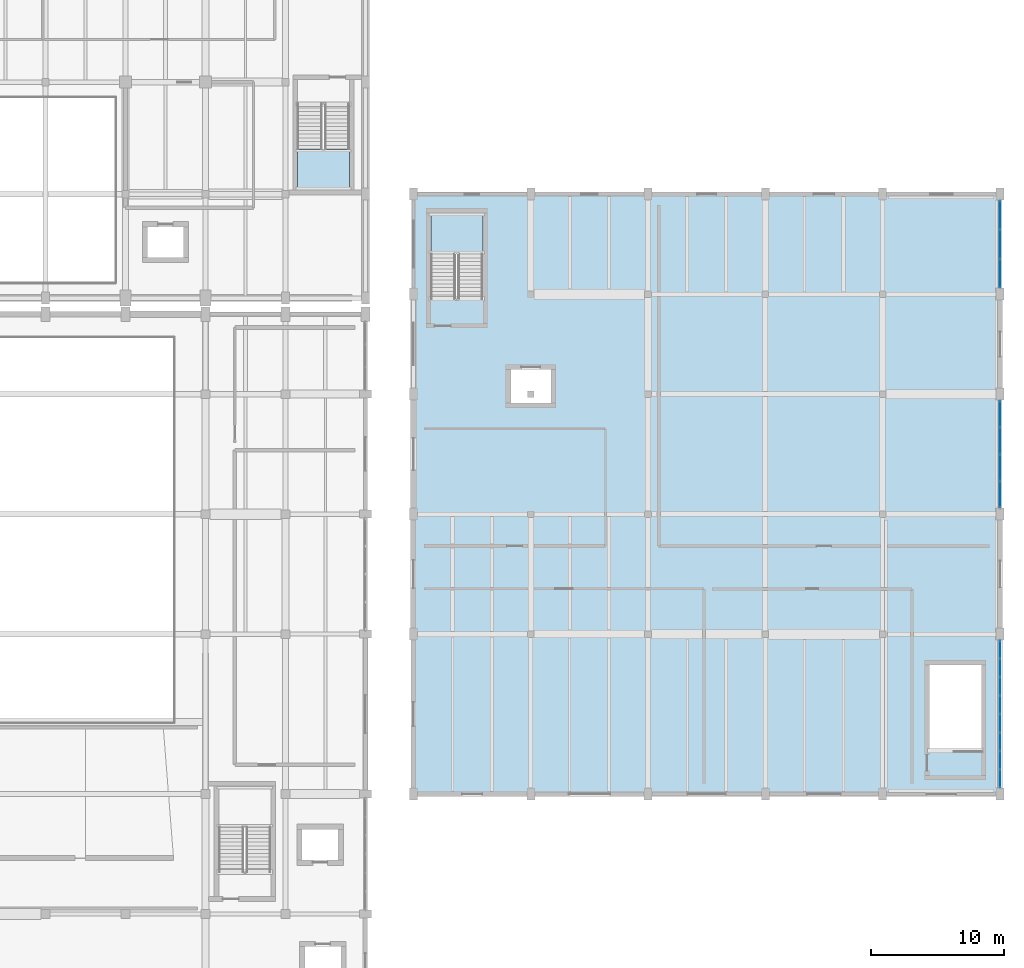
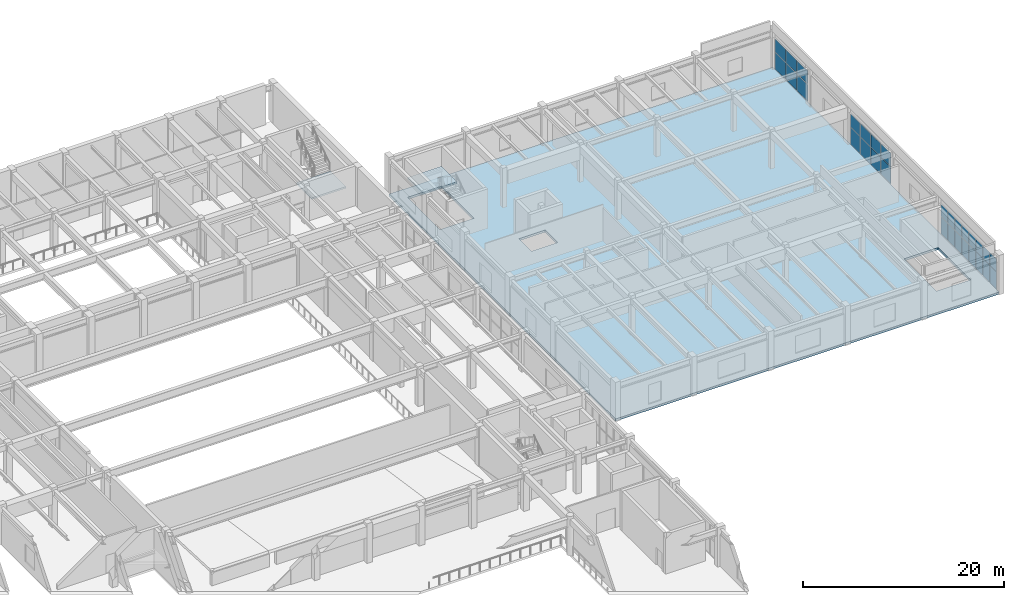
# One storey, part 55 of 80: 30 plates, 3 slabs, 5 elements without a shape of their own.
"""IFC4 building model written with IfcOpenShell, lengths in metres."""

from ifc_helpers import new_model, si_unit, direction, frame, origin, origin_2d, place, context, subcontext, project, spatial, polyline, rectangle, outline, extrude, material, layer, layer_set, type_object, element, aggregate, save


model = new_model("IFC4")

# Units and contexts
model_context = context("Model", 3, precision=1e-05, world=origin(), true_north=direction((0.0, 1.0)))
body_context = subcontext(model_context, "Body", "Model", "MODEL_VIEW")
ifc_project = project(units=[si_unit("LENGTHUNIT", "METRE"), si_unit("AREAUNIT", "SQUARE_METRE"), si_unit("VOLUMEUNIT", "CUBIC_METRE"), si_unit("PLANEANGLEUNIT", "RADIAN"), si_unit("MASSUNIT", "GRAM", prefix="KILO")], contexts=[model_context])

# Site, building, storey
site_placement = place(None, origin())
site = spatial("IfcSite", under=ifc_project, at=site_placement, CompositionType="ELEMENT")
building_placement = place(site_placement, origin())
building = spatial("IfcBuilding", under=site, at=building_placement, Name="Vaelkrest Opera House", CompositionType="ELEMENT")
storey_placement = place(building_placement, frame((0.0, 0.0, 15.0)))
storey = spatial("IfcBuildingStorey", under=building, at=storey_placement, Name="L03", CompositionType="ELEMENT", Elevation=15.0)

# Curtain wall, plates
ifc_material_1 = material(Name="Dark bronze anodized aluminium", Category="aluminium")
ifc_layer_1 = layer(ifc_material_1, 0.179931640625)
ifc_layer_set_1 = layer_set([ifc_layer_1], Name="Dark bronze anodized aluminium")
curtain_wall_type_1 = type_object("IfcCurtainWallType", Name="CW01", PredefinedType="NOTDEFINED", material=ifc_layer_set_1)
curtain_wall_1_placement = place(storey_placement, origin())
curtain_wall_1 = element("IfcCurtainWall", 1, at=curtain_wall_1_placement, inside=storey, type_object=curtain_wall_type_1, Name="Curtain wall CW-L03-169", PredefinedType="NOTDEFINED")
ifc_material_2 = material(Name="Double low-E insulated glazing", Category="glass")
ifc_layer_2 = layer(ifc_material_2, 0.02587890625)
ifc_layer_set_2 = layer_set([ifc_layer_2], Name="Double low-E insulated glazing")
plate_type_1 = type_object("IfcPlateType", Name="CWP01", PredefinedType="CURTAIN_PANEL", material=ifc_layer_set_2)
plate_1_placement = place(storey_placement, frame((77.60009765625, -8.958251953125, 0.06494140625), z_axis=(0.0, 0.0, 1.0), x_axis=(0.0, -1.0, 0.0)))
plate_1 = element("IfcPlate", 2, at=plate_1_placement, type_object=plate_type_1, Name="CW01 panel 1.1", PredefinedType="CURTAIN_PANEL", context=body_context, shape_type="SweptSolid", body=[
    extrude(rectangle(XDim=1.29052734375, YDim=0.02587890625, at=origin_2d()), origin(), (0.0, 0.0, 1.0), 2.052490234375),
])
plate_2_placement = place(storey_placement, frame((77.60009765625, -8.958251953125, 2.182373046875), z_axis=(0.0, 0.0, 1.0), x_axis=(0.0, -1.0, 0.0)))
plate_2 = element("IfcPlate", 3, at=plate_2_placement, type_object=plate_type_1, Name="CW01 panel 1.2", PredefinedType="CURTAIN_PANEL", context=body_context, shape_type="SweptSolid", body=[
    extrude(rectangle(XDim=1.29052734375, YDim=0.02587890625, at=origin_2d()), origin(), (0.0, 0.0, 1.0), 1.49755859375),
])
plate_3_placement = place(storey_placement, frame((77.60009765625, -10.330078125, 0.06494140625), z_axis=(0.0, 0.0, 1.0), x_axis=(0.0, -1.0, 0.0)))
plate_3 = element("IfcPlate", 4, at=plate_3_placement, type_object=plate_type_1, Name="CW01 panel 2.1", PredefinedType="CURTAIN_PANEL", context=body_context, shape_type="SweptSolid", body=[
    extrude(rectangle(XDim=1.322998046875, YDim=0.02587890625, at=origin_2d()), origin(), (0.0, 0.0, 1.0), 2.052490234375),
])
plate_4_placement = place(storey_placement, frame((77.60009765625, -10.330078125, 2.182373046875), z_axis=(0.0, 0.0, 1.0), x_axis=(0.0, -1.0, 0.0)))
plate_4 = element("IfcPlate", 5, at=plate_4_placement, type_object=plate_type_1, Name="CW01 panel 2.2", PredefinedType="CURTAIN_PANEL", context=body_context, shape_type="SweptSolid", body=[
    extrude(rectangle(XDim=1.322998046875, YDim=0.02587890625, at=origin_2d()), origin(), (0.0, 0.0, 1.0), 1.49755859375),
])
plate_5_placement = place(storey_placement, frame((77.60009765625, -11.718017578125, 0.06494140625), z_axis=(0.0, 0.0, 1.0), x_axis=(0.0, -1.0, 0.0)))
plate_5 = element("IfcPlate", 6, at=plate_5_placement, type_object=plate_type_1, Name="CW01 panel 3.1", PredefinedType="CURTAIN_PANEL", context=body_context, shape_type="SweptSolid", body=[
    extrude(rectangle(XDim=1.322998046875, YDim=0.02587890625, at=origin_2d()), origin(), (0.0, 0.0, 1.0), 2.052490234375),
])
plate_6_placement = place(storey_placement, frame((77.60009765625, -11.718017578125, 2.182373046875), z_axis=(0.0, 0.0, 1.0), x_axis=(0.0, -1.0, 0.0)))
plate_6 = element("IfcPlate", 7, at=plate_6_placement, type_object=plate_type_1, Name="CW01 panel 3.2", PredefinedType="CURTAIN_PANEL", context=body_context, shape_type="SweptSolid", body=[
    extrude(rectangle(XDim=1.322998046875, YDim=0.02587890625, at=origin_2d()), origin(), (0.0, 0.0, 1.0), 1.49755859375),
])
plate_7_placement = place(storey_placement, frame((77.60009765625, -13.10595703125, 0.06494140625), z_axis=(0.0, 0.0, 1.0), x_axis=(0.0, -1.0, 0.0)))
plate_7 = element("IfcPlate", 8, at=plate_7_placement, type_object=plate_type_1, Name="CW01 panel 4.1", PredefinedType="CURTAIN_PANEL", context=body_context, shape_type="SweptSolid", body=[
    extrude(rectangle(XDim=1.322998046875, YDim=0.02587890625, at=origin_2d()), origin(), (0.0, 0.0, 1.0), 2.052490234375),
])
plate_8_placement = place(storey_placement, frame((77.60009765625, -13.10595703125, 2.182373046875), z_axis=(0.0, 0.0, 1.0), x_axis=(0.0, -1.0, 0.0)))
plate_8 = element("IfcPlate", 9, at=plate_8_placement, type_object=plate_type_1, Name="CW01 panel 4.2", PredefinedType="CURTAIN_PANEL", context=body_context, shape_type="SweptSolid", body=[
    extrude(rectangle(XDim=1.322998046875, YDim=0.02587890625, at=origin_2d()), origin(), (0.0, 0.0, 1.0), 1.49755859375),
])
plate_9_placement = place(storey_placement, frame((77.60009765625, -14.493896484375, 0.06494140625), z_axis=(0.0, 0.0, 1.0), x_axis=(0.0, -1.0, 0.0)))
plate_9 = element("IfcPlate", 10, at=plate_9_placement, type_object=plate_type_1, Name="CW01 panel 5.1", PredefinedType="CURTAIN_PANEL", context=body_context, shape_type="SweptSolid", body=[
    extrude(rectangle(XDim=1.322998046875, YDim=0.02587890625, at=origin_2d()), origin(), (0.0, 0.0, 1.0), 2.052490234375),
])
plate_10_placement = place(storey_placement, frame((77.60009765625, -14.493896484375, 2.182373046875), z_axis=(0.0, 0.0, 1.0), x_axis=(0.0, -1.0, 0.0)))
plate_10 = element("IfcPlate", 11, at=plate_10_placement, type_object=plate_type_1, Name="CW01 panel 5.2", PredefinedType="CURTAIN_PANEL", context=body_context, shape_type="SweptSolid", body=[
    extrude(rectangle(XDim=1.322998046875, YDim=0.02587890625, at=origin_2d()), origin(), (0.0, 0.0, 1.0), 1.49755859375),
])
plate_11_placement = place(storey_placement, frame((77.60009765625, -15.882080078125, 0.06494140625), z_axis=(0.0, 0.0, 1.0), x_axis=(0.0, -1.0, 0.0)))
plate_11 = element("IfcPlate", 12, at=plate_11_placement, type_object=plate_type_1, Name="CW01 panel 6.1", PredefinedType="CURTAIN_PANEL", context=body_context, shape_type="SweptSolid", body=[
    extrude(rectangle(XDim=1.322998046875, YDim=0.02587890625, at=origin_2d()), origin(), (0.0, 0.0, 1.0), 2.052490234375),
])
plate_12_placement = place(storey_placement, frame((77.60009765625, -15.882080078125, 2.182373046875), z_axis=(0.0, 0.0, 1.0), x_axis=(0.0, -1.0, 0.0)))
plate_12 = element("IfcPlate", 13, at=plate_12_placement, type_object=plate_type_1, Name="CW01 panel 6.2", PredefinedType="CURTAIN_PANEL", context=body_context, shape_type="SweptSolid", body=[
    extrude(rectangle(XDim=1.322998046875, YDim=0.02587890625, at=origin_2d()), origin(), (0.0, 0.0, 1.0), 1.49755859375),
])
plate_13_placement = place(storey_placement, frame((77.60009765625, -17.27001953125, 0.06494140625), z_axis=(0.0, 0.0, 1.0), x_axis=(0.0, -1.0, 0.0)))
plate_13 = element("IfcPlate", 14, at=plate_13_placement, type_object=plate_type_1, Name="CW01 panel 7.1", PredefinedType="CURTAIN_PANEL", context=body_context, shape_type="SweptSolid", body=[
    extrude(rectangle(XDim=1.322998046875, YDim=0.02587890625, at=origin_2d()), origin(), (0.0, 0.0, 1.0), 2.052490234375),
])
plate_14_placement = place(storey_placement, frame((77.60009765625, -17.27001953125, 2.182373046875), z_axis=(0.0, 0.0, 1.0), x_axis=(0.0, -1.0, 0.0)))
plate_14 = element("IfcPlate", 15, at=plate_14_placement, type_object=plate_type_1, Name="CW01 panel 7.2", PredefinedType="CURTAIN_PANEL", context=body_context, shape_type="SweptSolid", body=[
    extrude(rectangle(XDim=1.322998046875, YDim=0.02587890625, at=origin_2d()), origin(), (0.0, 0.0, 1.0), 1.49755859375),
])
plate_15_placement = place(storey_placement, frame((77.60009765625, -18.641845703125, 0.06494140625), z_axis=(0.0, 0.0, 1.0), x_axis=(0.0, -1.0, 0.0)))
plate_15 = element("IfcPlate", 16, at=plate_15_placement, type_object=plate_type_1, Name="CW01 panel 8.1", PredefinedType="CURTAIN_PANEL", context=body_context, shape_type="SweptSolid", body=[
    extrude(rectangle(XDim=1.29052734375, YDim=0.02587890625, at=origin_2d()), origin(), (0.0, 0.0, 1.0), 2.052490234375),
])
plate_16_placement = place(storey_placement, frame((77.60009765625, -18.641845703125, 2.182373046875), z_axis=(0.0, 0.0, 1.0), x_axis=(0.0, -1.0, 0.0)))
plate_16 = element("IfcPlate", 17, at=plate_16_placement, type_object=plate_type_1, Name="CW01 panel 8.2", PredefinedType="CURTAIN_PANEL", context=body_context, shape_type="SweptSolid", body=[
    extrude(rectangle(XDim=1.29052734375, YDim=0.02587890625, at=origin_2d()), origin(), (0.0, 0.0, 1.0), 1.49755859375),
])
aggregate(curtain_wall_1, [plate_1, plate_2, plate_3, plate_4, plate_5, plate_6, plate_7, plate_8, plate_9, plate_10, plate_11, plate_12, plate_13, plate_14, plate_15, plate_16])

ifc_layer_3 = layer(ifc_material_1, 0.219970703125)
ifc_layer_set_3 = layer_set([ifc_layer_3], Name="Dark bronze anodized aluminium")
curtain_wall_type_2 = type_object("IfcCurtainWallType", Name="CW05", PredefinedType="NOTDEFINED", material=ifc_layer_set_3)
curtain_wall_2_placement = place(storey_placement, origin())
curtain_wall_2 = element("IfcCurtainWall", 18, at=curtain_wall_2_placement, inside=storey, type_object=curtain_wall_type_2, Name="Curtain wall CW-L03-167", PredefinedType="NOTDEFINED")
ifc_layer_4 = layer(ifc_material_2, 0.0419921875)
ifc_layer_set_4 = layer_set([ifc_layer_4], Name="Double low-E insulated glazing")
plate_type_2 = type_object("IfcPlateType", Name="CWP05", PredefinedType="CURTAIN_PANEL", material=ifc_layer_set_4)
plate_17_placement = place(storey_placement, frame((77.60009765625, 23.635009765625, 0.074951171875), z_axis=(0.0, 0.0, 1.0), x_axis=(0.0, -1.0, 0.0)))
plate_17 = element("IfcPlate", 19, at=plate_17_placement, type_object=plate_type_2, Name="CW05 panel 1.1", PredefinedType="CURTAIN_PANEL", context=body_context, shape_type="SweptSolid", body=[
    extrude(rectangle(XDim=2.103759765625, YDim=0.0419921875, at=origin_2d()), origin(), (0.0, 0.0, 1.0), 2.03759765625),
])
plate_18_placement = place(storey_placement, frame((77.60009765625, 23.635009765625, 2.1875), z_axis=(0.0, 0.0, 1.0), x_axis=(0.0, -1.0, 0.0)))
plate_18 = element("IfcPlate", 20, at=plate_18_placement, type_object=plate_type_2, Name="CW05 panel 1.2", PredefinedType="CURTAIN_PANEL", context=body_context, shape_type="SweptSolid", body=[
    extrude(rectangle(XDim=2.103759765625, YDim=0.0419921875, at=origin_2d()), origin(), (0.0, 0.0, 1.0), 1.56640625),
])
plate_19_placement = place(storey_placement, frame((77.60009765625, 21.449951171875, 0.074951171875), z_axis=(0.0, 0.0, 1.0), x_axis=(0.0, -1.0, 0.0)))
plate_19 = element("IfcPlate", 21, at=plate_19_placement, type_object=plate_type_2, Name="CW05 panel 2.1", PredefinedType="CURTAIN_PANEL", context=body_context, shape_type="SweptSolid", body=[
    extrude(rectangle(XDim=2.13623046875, YDim=0.0419921875, at=origin_2d()), origin(), (0.0, 0.0, 1.0), 2.03759765625),
])
plate_20_placement = place(storey_placement, frame((77.60009765625, 21.449951171875, 2.1875), z_axis=(0.0, 0.0, 1.0), x_axis=(0.0, -1.0, 0.0)))
plate_20 = element("IfcPlate", 22, at=plate_20_placement, type_object=plate_type_2, Name="CW05 panel 2.2", PredefinedType="CURTAIN_PANEL", context=body_context, shape_type="SweptSolid", body=[
    extrude(rectangle(XDim=2.13623046875, YDim=0.0419921875, at=origin_2d()), origin(), (0.0, 0.0, 1.0), 1.56640625),
])
plate_21_placement = place(storey_placement, frame((77.60009765625, 19.264892578125, 0.074951171875), z_axis=(0.0, 0.0, 1.0), x_axis=(0.0, -1.0, 0.0)))
plate_21 = element("IfcPlate", 23, at=plate_21_placement, type_object=plate_type_2, Name="CW05 panel 3.1", PredefinedType="CURTAIN_PANEL", context=body_context, shape_type="SweptSolid", body=[
    extrude(rectangle(XDim=2.103759765625, YDim=0.0419921875, at=origin_2d()), origin(), (0.0, 0.0, 1.0), 2.03759765625),
])
plate_22_placement = place(storey_placement, frame((77.60009765625, 19.264892578125, 2.1875), z_axis=(0.0, 0.0, 1.0), x_axis=(0.0, -1.0, 0.0)))
plate_22 = element("IfcPlate", 24, at=plate_22_placement, type_object=plate_type_2, Name="CW05 panel 3.2", PredefinedType="CURTAIN_PANEL", context=body_context, shape_type="SweptSolid", body=[
    extrude(rectangle(XDim=2.103759765625, YDim=0.0419921875, at=origin_2d()), origin(), (0.0, 0.0, 1.0), 1.56640625),
])
aggregate(curtain_wall_2, [plate_17, plate_18, plate_19, plate_20, plate_21, plate_22])

ifc_layer_5 = layer(ifc_material_1, 0.239990234375)
ifc_layer_set_5 = layer_set([ifc_layer_5], Name="Dark bronze anodized aluminium")
curtain_wall_type_3 = type_object("IfcCurtainWallType", Name="CW07", PredefinedType="NOTDEFINED", material=ifc_layer_set_5)
curtain_wall_3_placement = place(storey_placement, origin())
curtain_wall_3 = element("IfcCurtainWall", 25, at=curtain_wall_3_placement, inside=storey, type_object=curtain_wall_type_3, Name="Curtain wall CW-L03-168", PredefinedType="NOTDEFINED")
ifc_material_3 = material(Name="Dark bronze anodized aluminium spandrel", Category="aluminium")
ifc_layer_6 = layer(ifc_material_3, 0.052001953125)
ifc_layer_set_6 = layer_set([ifc_layer_6], Name="Dark bronze anodized aluminium spandrel")
plate_type_3 = type_object("IfcPlateType", Name="CWP07", PredefinedType="CURTAIN_PANEL", material=ifc_layer_set_6)
plate_23_placement = place(storey_placement, frame((77.60009765625, 8.72021484375, 0.06494140625), z_axis=(0.0, 0.0, 1.0), x_axis=(0.0, -1.0, 0.0)))
plate_23 = element("IfcPlate", 26, at=plate_23_placement, type_object=plate_type_3, Name="CW07 panel 1.1", PredefinedType="CURTAIN_PANEL", context=body_context, shape_type="SweptSolid", body=[
    extrude(rectangle(XDim=1.91357421875, YDim=0.052001953125, at=origin_2d()), origin(), (0.0, 0.0, 1.0), 2.052490234375),
])
plate_24_placement = place(storey_placement, frame((77.60009765625, 8.72021484375, 2.182373046875), z_axis=(0.0, 0.0, 1.0), x_axis=(0.0, -1.0, 0.0)))
plate_24 = element("IfcPlate", 27, at=plate_24_placement, type_object=plate_type_3, Name="CW07 panel 1.2", PredefinedType="CURTAIN_PANEL", context=body_context, shape_type="SweptSolid", body=[
    extrude(rectangle(XDim=1.91357421875, YDim=0.052001953125, at=origin_2d()), origin(), (0.0, 0.0, 1.0), 1.58154296875),
])
plate_25_placement = place(storey_placement, frame((77.60009765625, 6.712890625, 0.06494140625), z_axis=(0.0, 0.0, 1.0), x_axis=(0.0, -1.0, 0.0)))
plate_25 = element("IfcPlate", 28, at=plate_25_placement, type_object=plate_type_3, Name="CW07 panel 2.1", PredefinedType="CURTAIN_PANEL", context=body_context, shape_type="SweptSolid", body=[
    extrude(rectangle(XDim=1.950927734375, YDim=0.052001953125, at=origin_2d()), origin(), (0.0, 0.0, 1.0), 2.052490234375),
])
plate_26_placement = place(storey_placement, frame((77.60009765625, 6.712890625, 2.182373046875), z_axis=(0.0, 0.0, 1.0), x_axis=(0.0, -1.0, 0.0)))
plate_26 = element("IfcPlate", 29, at=plate_26_placement, type_object=plate_type_3, Name="CW07 panel 2.2", PredefinedType="CURTAIN_PANEL", context=body_context, shape_type="SweptSolid", body=[
    extrude(rectangle(XDim=1.950927734375, YDim=0.052001953125, at=origin_2d()), origin(), (0.0, 0.0, 1.0), 1.58154296875),
])
plate_27_placement = place(storey_placement, frame((77.60009765625, 4.68701171875, 0.06494140625), z_axis=(0.0, 0.0, 1.0), x_axis=(0.0, -1.0, 0.0)))
plate_27 = element("IfcPlate", 30, at=plate_27_placement, type_object=plate_type_3, Name="CW07 panel 3.1", PredefinedType="CURTAIN_PANEL", context=body_context, shape_type="SweptSolid", body=[
    extrude(rectangle(XDim=1.950927734375, YDim=0.052001953125, at=origin_2d()), origin(), (0.0, 0.0, 1.0), 2.052490234375),
])
plate_28_placement = place(storey_placement, frame((77.60009765625, 4.68701171875, 2.182373046875), z_axis=(0.0, 0.0, 1.0), x_axis=(0.0, -1.0, 0.0)))
plate_28 = element("IfcPlate", 31, at=plate_28_placement, type_object=plate_type_3, Name="CW07 panel 3.2", PredefinedType="CURTAIN_PANEL", context=body_context, shape_type="SweptSolid", body=[
    extrude(rectangle(XDim=1.950927734375, YDim=0.052001953125, at=origin_2d()), origin(), (0.0, 0.0, 1.0), 1.58154296875),
])
plate_29_placement = place(storey_placement, frame((77.60009765625, 2.6796875, 0.06494140625), z_axis=(0.0, 0.0, 1.0), x_axis=(0.0, -1.0, 0.0)))
plate_29 = element("IfcPlate", 32, at=plate_29_placement, type_object=plate_type_3, Name="CW07 panel 4.1", PredefinedType="CURTAIN_PANEL", context=body_context, shape_type="SweptSolid", body=[
    extrude(rectangle(XDim=1.91357421875, YDim=0.052001953125, at=origin_2d()), origin(), (0.0, 0.0, 1.0), 2.052490234375),
])
plate_30_placement = place(storey_placement, frame((77.60009765625, 2.6796875, 2.182373046875), z_axis=(0.0, 0.0, 1.0), x_axis=(0.0, -1.0, 0.0)))
plate_30 = element("IfcPlate", 33, at=plate_30_placement, type_object=plate_type_3, Name="CW07 panel 4.2", PredefinedType="CURTAIN_PANEL", context=body_context, shape_type="SweptSolid", body=[
    extrude(rectangle(XDim=1.91357421875, YDim=0.052001953125, at=origin_2d()), origin(), (0.0, 0.0, 1.0), 1.58154296875),
])
aggregate(curtain_wall_3, [plate_23, plate_24, plate_25, plate_26, plate_27, plate_28, plate_29, plate_30])

# Slab
ifc_material_4 = material(Name="Concrete C40/50", Category="concrete")
ifc_layer_7 = layer(ifc_material_4, 0.264892578125)
ifc_layer_set_7 = layer_set([ifc_layer_7], Name="Concrete C40/50")
slab_type_1 = type_object("IfcSlabType", Name="FS02", PredefinedType="FLOOR", material=ifc_layer_set_7)
slab_1_placement = place(storey_placement, frame((0.0, 0.0, -0.264892578125)))
element("IfcSlab", 34, at=slab_1_placement, inside=storey, type_object=slab_type_1, Name="Floor slab SLB-V4-L03-030", PredefinedType="FLOOR", context=body_context, shape_type="SweptSolid", body=[
    extrude(outline(polyline([(33.60009765625, -19.800048828125), (77.60009765625, -19.800048828125), (77.60009765625, 25.199951171875), (33.60009765625, 25.199951171875), (33.60009765625, -19.800048828125)]), holes=[polyline([(38.800048828125, 17.35009765625), (38.800048828125, 23.800048828125), (34.89990234375, 23.800048828125), (34.89990234375, 17.35009765625), (38.800048828125, 17.35009765625)]), polyline([(76.199951171875, -16.550048828125), (76.199951171875, -10.10009765625), (72.300048828125, -10.10009765625), (72.300048828125, -16.550048828125), (76.199951171875, -16.550048828125)]), polyline([(40.89990234375, 9.550048828125), (43.89990234375, 9.550048828125), (43.89990234375, 12.050048828125), (40.89990234375, 12.050048828125), (40.89990234375, 9.550048828125)])]), origin(), (0.0, 0.0, 1.0), 0.264892578125),
])

# Stair, slab
stair_type_1 = type_object("IfcStairType", Name="ST06", PredefinedType="TWO_STRAIGHT_RUN_STAIR", material=ifc_material_4)
stair_1_placement = place(storey_placement, origin())
stair_1 = element("IfcStair", 35, at=stair_1_placement, inside=storey, type_object=stair_type_1, Name="L03 Protected exit stair ST06", PredefinedType="TWO_STRAIGHT_RUN_STAIR")
ifc_layer_8 = layer(ifc_material_4, 0.199951171875)
ifc_layer_set_8 = layer_set([ifc_layer_8], Name="Concrete C40/50")
slab_type_2 = type_object("IfcSlabType", Name="SLD01", PredefinedType="LANDING", material=ifc_layer_set_8)
slab_2_placement = place(storey_placement, frame((0.0, 0.0, 2.199951171875)))
slab_2 = element("IfcSlab", 36, at=slab_2_placement, type_object=slab_type_2, Name="ST06 landing 1", PredefinedType="LANDING", context=body_context, shape_type="SweptSolid", body=[
    extrude(outline(polyline([(24.89990234375, 28.590087890625), (24.89990234375, 25.5), (28.800048828125, 25.5), (28.800048828125, 28.590087890625), (24.89990234375, 28.590087890625)])), origin(), (0.0, 0.0, 1.0), 0.199951171875),
])
aggregate(stair_1, [slab_2])

stair_type_2 = type_object("IfcStairType", Name="ST09", PredefinedType="TWO_STRAIGHT_RUN_STAIR", material=ifc_material_4)
stair_2_placement = place(storey_placement, origin())
stair_2 = element("IfcStair", 37, at=stair_2_placement, inside=storey, type_object=stair_type_2, Name="L03 Protected exit stair ST09", PredefinedType="TWO_STRAIGHT_RUN_STAIR")
slab_3_placement = place(storey_placement, frame((0.0, 0.0, 2.199951171875)))
slab_3 = element("IfcSlab", 38, at=slab_3_placement, type_object=slab_type_2, Name="ST09 landing 1", PredefinedType="LANDING", context=body_context, shape_type="SweptSolid", body=[
    extrude(outline(polyline([(38.800048828125, 20.7099609375), (38.800048828125, 23.800048828125), (34.89990234375, 23.800048828125), (34.89990234375, 20.7099609375), (38.800048828125, 20.7099609375)])), origin(), (0.0, 0.0, 1.0), 0.199951171875),
])
aggregate(stair_2, [slab_3])

save(model, "model.ifc")
